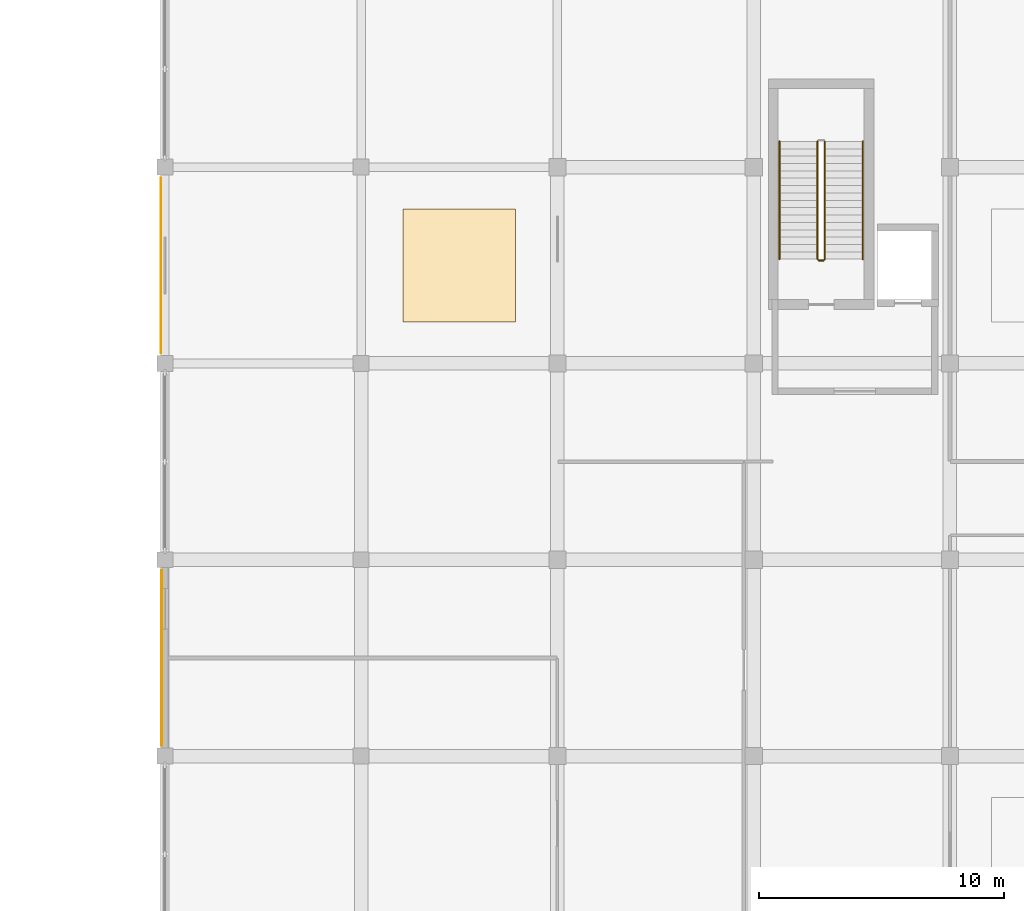
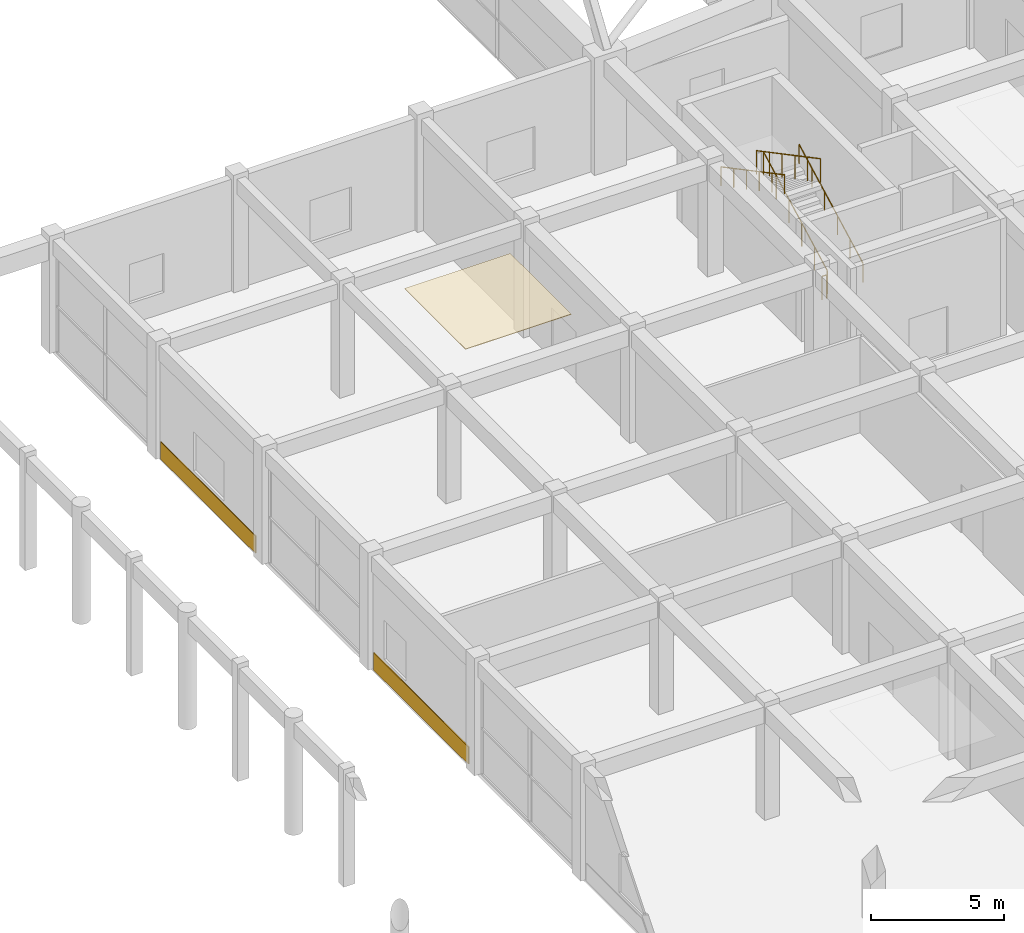
# One storey, part 60 of 69: 5 railings, 3 coverings.
"""IFC4 building model written with IfcOpenShell, lengths in metres."""

from ifc_helpers import new_model, si_unit, direction, frame, origin, origin_2d, place, context, subcontext, project, spatial, rectangle, circle, extrude, material, layer, layer_set, type_object, element, save


model = new_model("IFC4")

# Units and contexts
model_context = context("Model", 3, precision=1e-05, world=origin(), true_north=direction((0.0, 1.0)))
body_context = subcontext(model_context, "Body", "Model", "MODEL_VIEW")
ifc_project = project(units=[si_unit("LENGTHUNIT", "METRE"), si_unit("AREAUNIT", "SQUARE_METRE"), si_unit("VOLUMEUNIT", "CUBIC_METRE"), si_unit("PLANEANGLEUNIT", "RADIAN"), si_unit("MASSUNIT", "GRAM", prefix="KILO")], contexts=[model_context])

# Site, building, storey
site_placement = place(None, origin())
site = spatial("IfcSite", under=ifc_project, at=site_placement, CompositionType="ELEMENT")
building_placement = place(site_placement, origin())
building = spatial("IfcBuilding", under=site, at=building_placement, Name="Kenh Van Central Station", CompositionType="ELEMENT")
storey_placement = place(building_placement, frame((0.0, 0.0, 5.39990234375)))
storey = spatial("IfcBuildingStorey", under=building, at=storey_placement, Name="L01", CompositionType="ELEMENT", Elevation=5.39990234375)

# Coverings
ifc_material_1 = material(Name="Perforated acoustic mineral ceiling board")
ifc_layer_1 = layer(ifc_material_1, 0.02490234375, Name="Perforated acoustic mineral ceiling board")
ifc_layer_set_1 = layer_set([ifc_layer_1], Name="Perforated acoustic mineral ceiling board")
covering_type_1 = type_object("IfcCoveringType", Name="COV-CEIL-ACOUST", PredefinedType="CEILING", material=ifc_layer_set_1)
covering_1_placement = place(storey_placement, frame((20.0, 52.0, 5.162109375), z_axis=(0.0, 0.0, 1.0), x_axis=(1.0, 0.0, 0.0)))
element("IfcCovering", 1, at=covering_1_placement, inside=storey, type_object=covering_type_1, Name="L01 acoustic ceiling panel 035", PredefinedType="CEILING", context=body_context, shape_type="SweptSolid", body=[
    extrude(rectangle(XDim=4.60009765625, YDim=4.60009765625, at=origin_2d()), origin(), (0.0, 0.0, 1.0), 0.02490234375),
])
ifc_material_2 = material(Name="Saigon buff sandstone cladding", Category="masonry")
ifc_layer_2 = layer(ifc_material_2, 0.0400390625, Name="Saigon buff sandstone cladding")
ifc_layer_set_2 = layer_set([ifc_layer_2], Name="Saigon buff sandstone cladding")
covering_type_2 = type_object("IfcCoveringType", Name="COV-CLAD-BUFF", PredefinedType="CLADDING", material=ifc_layer_set_2)
covering_2_placement = place(storey_placement, frame((7.864990234375, 36.0, 0.02001953125), z_axis=(0.0, 0.0, 1.0), x_axis=(0.0, -1.0, 0.0)))
element("IfcCovering", 2, at=covering_2_placement, inside=storey, type_object=covering_type_2, Name="L01 facade cladding 025", PredefinedType="CLADDING", context=body_context, shape_type="SweptSolid", body=[
    extrude(rectangle(XDim=7.14990234375, YDim=0.0400390625, at=origin_2d()), origin(), (0.0, 0.0, 1.0), 0.800048828125),
])
ifc_material_3 = material(Name="Glazed terracotta rainscreen cladding", Category="masonry")
ifc_layer_3 = layer(ifc_material_3, 0.034912109375, Name="Glazed terracotta rainscreen cladding")
ifc_layer_set_3 = layer_set([ifc_layer_3], Name="Glazed terracotta rainscreen cladding")
covering_type_3 = type_object("IfcCoveringType", Name="COV-CLAD-TERRA", PredefinedType="CLADDING", material=ifc_layer_set_3)
covering_3_placement = place(storey_placement, frame((7.842529296875, 52.0, 0.02001953125), z_axis=(0.0, 0.0, 1.0), x_axis=(0.0, -1.0, 0.0)))
element("IfcCovering", 3, at=covering_3_placement, inside=storey, type_object=covering_type_3, Name="L01 facade cladding 024", PredefinedType="CLADDING", context=body_context, shape_type="SweptSolid", body=[
    extrude(rectangle(XDim=7.14990234375, YDim=0.034912109375, at=origin_2d()), origin(), (0.0, 0.0, 1.0), 0.800048828125),
])

# Railings
ifc_material_4 = material(Name="Champagne anodised aluminium", Category="aluminium")
railing_type_1 = type_object("IfcRailingType", Name="RAIL-CORE-GRD110", PredefinedType="GUARDRAIL", material=ifc_material_4)
railing_1_placement = place(storey_placement, frame((34.89990234375, 52.25, 0.158935546875)))
element("IfcRailing", 4, at=railing_1_placement, inside=storey, type_object=railing_type_1, Name="L01 ST-02 stair guard 1", PredefinedType="GUARDRAIL", context=body_context, shape_type="SweptSolid", body=[
    extrude(circle(Radius=0.02392578125, at=origin_2d()), frame((0.0, 0.0, 1.076171875), z_axis=(0.0, 0.883783542688, 0.467895981682), x_axis=(-1.0, 0.0, 0.0)), (0.0, 0.0, 1.0), 5.43115234375),
    extrude(circle(Radius=0.02099609375, at=origin_2d()), origin(), (0.0, 0.0, 1.0), 1.052001953125),
    extrude(circle(Radius=0.02099609375, at=origin_2d()), frame((0.0, 0.9599609375, 0.50830078125)), (0.0, 0.0, 1.0), 1.052001953125),
    extrude(circle(Radius=0.02099609375, at=origin_2d()), frame((0.0, 1.919921875, 1.0166015625)), (0.0, 0.0, 1.0), 1.052001953125),
    extrude(circle(Radius=0.02099609375, at=origin_2d()), frame((0.0, 2.880126953125, 1.524658203125)), (0.0, 0.0, 1.0), 1.052001953125),
    extrude(circle(Radius=0.02099609375, at=origin_2d()), frame((0.0, 3.840087890625, 2.032958984375)), (0.0, 0.0, 1.0), 1.052001953125),
    extrude(circle(Radius=0.02099609375, at=origin_2d()), frame((0.0, 4.800048828125, 2.541259765625)), (0.0, 0.0, 1.0), 1.052001953125),
])
railing_2_placement = place(storey_placement, frame((34.60009765625, 57.050048828125, 2.85888671875)))
element("IfcRailing", 5, at=railing_2_placement, inside=storey, type_object=railing_type_1, Name="L01 ST-02 stair guard 3", PredefinedType="GUARDRAIL", context=body_context, shape_type="SweptSolid", body=[
    extrude(circle(Radius=0.02392578125, at=origin_2d()), frame((0.0, 0.0, 1.076171875), z_axis=(0.0, -0.883783542688, 0.467895981682), x_axis=(1.0, 0.0, 0.0)), (0.0, 0.0, 1.0), 5.43115234375),
    extrude(circle(Radius=0.02099609375, at=origin_2d()), origin(), (0.0, 0.0, 1.0), 1.052001953125),
    extrude(circle(Radius=0.02099609375, at=origin_2d()), frame((0.0, -0.9599609375, 0.50830078125)), (0.0, 0.0, 1.0), 1.052001953125),
    extrude(circle(Radius=0.02099609375, at=origin_2d()), frame((0.0, -1.919921875, 1.0166015625)), (0.0, 0.0, 1.0), 1.052001953125),
    extrude(circle(Radius=0.02099609375, at=origin_2d()), frame((0.0, -2.880126953125, 1.524658203125)), (0.0, 0.0, 1.0), 1.052001953125),
    extrude(circle(Radius=0.02099609375, at=origin_2d()), frame((0.0, -3.840087890625, 2.032958984375)), (0.0, 0.0, 1.0), 1.052001953125),
    extrude(circle(Radius=0.02099609375, at=origin_2d()), frame((0.0, -4.800048828125, 2.541259765625)), (0.0, 0.0, 1.0), 1.052001953125),
])
railing_3_placement = place(storey_placement, frame((34.85009765625, 52.199951171875, 0.0)))
element("IfcRailing", 6, at=railing_3_placement, inside=storey, type_object=railing_type_1, Name="L01 ST-02 stair guard 4", PredefinedType="GUARDRAIL", context=body_context, shape_type="SweptSolid", body=[
    extrude(circle(Radius=0.02392578125, at=origin_2d()), frame((0.0, 0.0, 1.076171875), z_axis=(-1.0, 0.0, 0.0), x_axis=(0.0, -1.0, 0.0)), (0.0, 0.0, 1.0), 0.2001953125),
    extrude(circle(Radius=0.02099609375, at=origin_2d()), origin(), (0.0, 0.0, 1.0), 1.052001953125),
    extrude(circle(Radius=0.02099609375, at=origin_2d()), frame((-0.2001953125, 0.0, 0.0)), (0.0, 0.0, 1.0), 1.052001953125),
])
railing_type_2 = type_object("IfcRailingType", Name="RAIL-CORE-HND90", PredefinedType="HANDRAIL", material=ifc_material_4)
railing_4_placement = place(storey_placement, frame((36.449951171875, 52.25, 0.158935546875)))
element("IfcRailing", 7, at=railing_4_placement, inside=storey, type_object=railing_type_2, Name="L01 ST-02 stair handrail 1", PredefinedType="HANDRAIL", context=body_context, shape_type="SweptSolid", body=[
    extrude(circle(Radius=0.02392578125, at=origin_2d()), frame((0.0, 0.0, 0.8759765625), z_axis=(0.0, 0.883783542688, 0.467895981682), x_axis=(-1.0, 0.0, 0.0)), (0.0, 0.0, 1.0), 5.43115234375),
    extrude(circle(Radius=0.02099609375, at=origin_2d()), origin(), (0.0, 0.0, 1.0), 0.851806640625),
    extrude(circle(Radius=0.02099609375, at=origin_2d()), frame((0.0, 0.9599609375, 0.50830078125)), (0.0, 0.0, 1.0), 0.851806640625),
    extrude(circle(Radius=0.02099609375, at=origin_2d()), frame((0.0, 1.919921875, 1.0166015625)), (0.0, 0.0, 1.0), 0.851806640625),
    extrude(circle(Radius=0.02099609375, at=origin_2d()), frame((0.0, 2.880126953125, 1.524658203125)), (0.0, 0.0, 1.0), 0.851806640625),
    extrude(circle(Radius=0.02099609375, at=origin_2d()), frame((0.0, 3.840087890625, 2.032958984375)), (0.0, 0.0, 1.0), 0.851806640625),
    extrude(circle(Radius=0.02099609375, at=origin_2d()), frame((0.0, 4.800048828125, 2.541259765625)), (0.0, 0.0, 1.0), 0.851806640625),
])
railing_5_placement = place(storey_placement, frame((33.050048828125, 57.050048828125, 2.85888671875)))
element("IfcRailing", 8, at=railing_5_placement, inside=storey, type_object=railing_type_2, Name="L01 ST-02 stair handrail 2", PredefinedType="HANDRAIL", context=body_context, shape_type="SweptSolid", body=[
    extrude(circle(Radius=0.02392578125, at=origin_2d()), frame((0.0, 0.0, 0.8759765625), z_axis=(0.0, -0.883783542688, 0.467895981682), x_axis=(1.0, 0.0, 0.0)), (0.0, 0.0, 1.0), 5.43115234375),
    extrude(circle(Radius=0.02099609375, at=origin_2d()), origin(), (0.0, 0.0, 1.0), 0.851806640625),
    extrude(circle(Radius=0.02099609375, at=origin_2d()), frame((0.0, -0.9599609375, 0.50830078125)), (0.0, 0.0, 1.0), 0.851806640625),
    extrude(circle(Radius=0.02099609375, at=origin_2d()), frame((0.0, -1.919921875, 1.0166015625)), (0.0, 0.0, 1.0), 0.851806640625),
    extrude(circle(Radius=0.02099609375, at=origin_2d()), frame((0.0, -2.880126953125, 1.524658203125)), (0.0, 0.0, 1.0), 0.851806640625),
    extrude(circle(Radius=0.02099609375, at=origin_2d()), frame((0.0, -3.840087890625, 2.032958984375)), (0.0, 0.0, 1.0), 0.851806640625),
    extrude(circle(Radius=0.02099609375, at=origin_2d()), frame((0.0, -4.800048828125, 2.541259765625)), (0.0, 0.0, 1.0), 0.851806640625),
])

save(model, "model.ifc")
